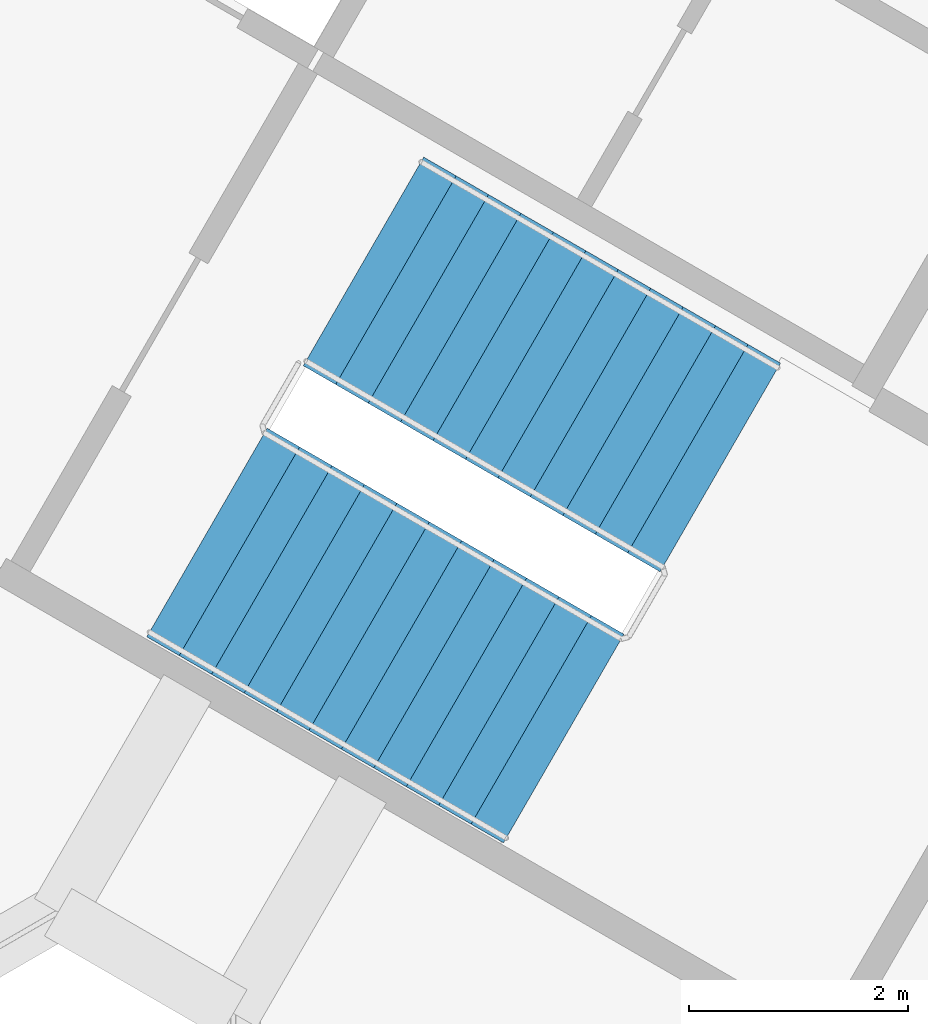
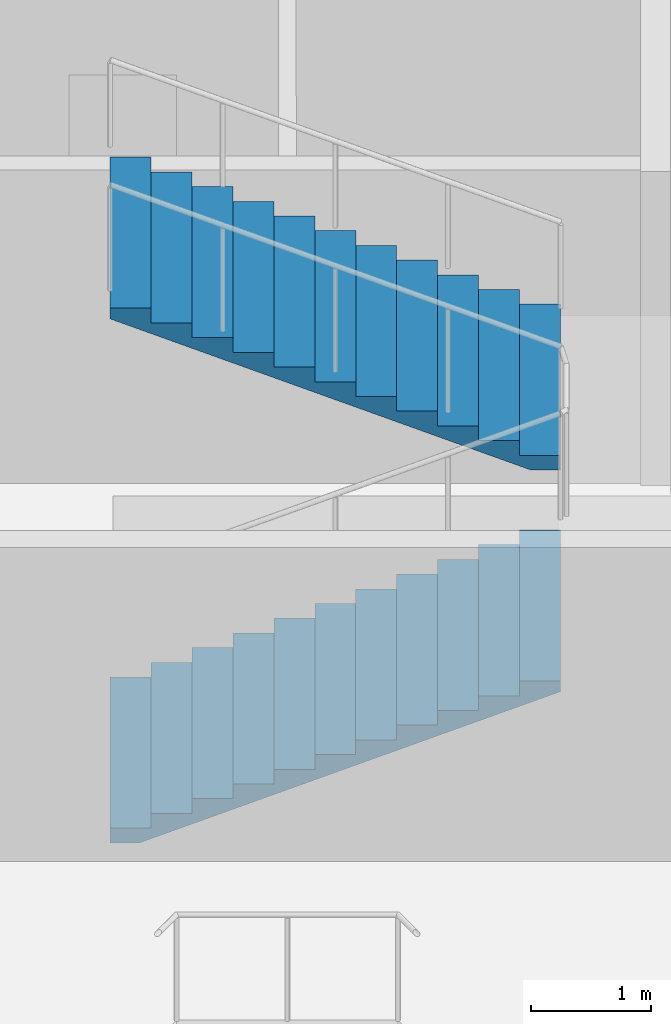
# One storey, part 11 of 12: 2 stair flights, 1 element without a shape of its own.
"""IFC4 building model written with IfcOpenShell, lengths in metres."""

from ifc_helpers import new_model, si_unit, direction, frame, origin, place, context, subcontext, project, spatial, polyline, outline, extrude, material, type_object, element, aggregate, save


model = new_model("IFC4")

# Units and contexts
model_context = context("Model", 3, precision=1e-05, world=origin(), true_north=direction((0.0, 1.0)))
body_context = subcontext(model_context, "Body", "Model", "MODEL_VIEW")
ifc_project = project(units=[si_unit("LENGTHUNIT", "METRE"), si_unit("AREAUNIT", "SQUARE_METRE"), si_unit("VOLUMEUNIT", "CUBIC_METRE"), si_unit("PLANEANGLEUNIT", "RADIAN"), si_unit("MASSUNIT", "GRAM", prefix="KILO")], contexts=[model_context])

# Site, building, storey
site_placement = place(None, origin())
site = spatial("IfcSite", under=ifc_project, at=site_placement, CompositionType="ELEMENT")
building_placement = place(site_placement, origin())
building = spatial("IfcBuilding", under=site, at=building_placement, Name="Tamra Quay Hotel Tower", CompositionType="ELEMENT")
storey_placement = place(building_placement, frame((0.0, 0.0, 71.0)))
storey = spatial("IfcBuildingStorey", under=building, at=storey_placement, Name="L16", CompositionType="ELEMENT", Elevation=71.0)

# Stair, stair flights
ifc_material_1 = material(Name="Exit stair 2200 24 risers 150.0 going 342")
stair_type = type_object("IfcStairType", Name="Exit stair 2200 24 risers 150.0 going 342", PredefinedType="HALF_TURN_STAIR", material=ifc_material_1)
stair_placement = place(storey_placement, origin())
stair = element("IfcStair", 1, at=stair_placement, inside=storey, type_object=stair_type, Name="L16 Exit stair ST1", PredefinedType="HALF_TURN_STAIR")
ifc_material_2 = material(Name="Exit stair flight 2200 12 risers 150.0")
stair_flight_type = type_object("IfcStairFlightType", Name="Exit stair flight 2200 12 risers 150.0", PredefinedType="STRAIGHT", material=ifc_material_2)
stair_flight_1_placement = place(storey_placement, frame((4.75927734375, 11.20361328125, 0.0), z_axis=(0.0, 0.0, 1.0), x_axis=(0.866025403784, -0.5, 0.0)))
stair_flight_1 = element("IfcStairFlight", 2, at=stair_flight_1_placement, type_object=stair_flight_type, Name="ST1 flight 1", NumberOfRisers=12, NumberOfTreads=11, PredefinedType="STRAIGHT", RiserHeight=0.15, TreadLength=0.342, context=body_context, shape_type="SweptSolid", body=[
    extrude(outline(polyline([(0.0, 0.0), (0.0, 0.14990234375), (0.342041015625, 0.14990234375), (0.342041015625, 0.300048828125), (0.68408203125, 0.300048828125), (0.68408203125, 0.449951171875), (1.02587890625, 0.449951171875), (1.02587890625, 0.60009765625), (1.367919921875, 0.60009765625), (1.367919921875, 0.75), (1.7099609375, 0.75), (1.7099609375, 0.89990234375), (2.052001953125, 0.89990234375), (2.052001953125, 1.050048828125), (2.39404296875, 1.050048828125), (2.39404296875, 1.199951171875), (2.736083984375, 1.199951171875), (2.736083984375, 1.35009765625), (3.077880859375, 1.35009765625), (3.077880859375, 1.5), (3.419921875, 1.5), (3.419921875, 1.64990234375), (3.761962890625, 1.64990234375), (3.761962890625, 1.800048828125), (3.761962890625, 1.540771484375), (0.249267578125, 0.0), (0.0, 0.0)])), frame((0.0, 1.10009765625, 0.0), z_axis=(0.0, -1.0, 0.0), x_axis=(1.0, 0.0, 0.0)), (0.0, 0.0, 1.0), 2.199951171875),
])
stair_flight_2_placement = place(storey_placement, frame((9.44677734375, 11.798583984375, 1.800048828125), z_axis=(0.0, 0.0, 1.0), x_axis=(-0.866025403784, 0.5, 0.0)))
stair_flight_2 = element("IfcStairFlight", 3, at=stair_flight_2_placement, type_object=stair_flight_type, Name="ST1 flight 2", NumberOfRisers=12, NumberOfTreads=11, PredefinedType="STRAIGHT", RiserHeight=0.15, TreadLength=0.342, context=body_context, shape_type="SweptSolid", body=[
    extrude(outline(polyline([(0.0, 0.0), (0.0, 0.14990234375), (0.342041015625, 0.14990234375), (0.342041015625, 0.300048828125), (0.68408203125, 0.300048828125), (0.68408203125, 0.449951171875), (1.02587890625, 0.449951171875), (1.02587890625, 0.60009765625), (1.367919921875, 0.60009765625), (1.367919921875, 0.75), (1.7099609375, 0.75), (1.7099609375, 0.89990234375), (2.052001953125, 0.89990234375), (2.052001953125, 1.050048828125), (2.39404296875, 1.050048828125), (2.39404296875, 1.199951171875), (2.736083984375, 1.199951171875), (2.736083984375, 1.35009765625), (3.077880859375, 1.35009765625), (3.077880859375, 1.5), (3.419921875, 1.5), (3.419921875, 1.64990234375), (3.761962890625, 1.64990234375), (3.761962890625, 1.800048828125), (3.761962890625, 1.540771484375), (0.249267578125, 0.0), (0.0, 0.0)])), frame((0.0, 1.10009765625, 0.0), z_axis=(0.0, -1.0, 0.0), x_axis=(1.0, 0.0, 0.0)), (0.0, 0.0, 1.0), 2.199951171875),
])
aggregate(stair, [stair_flight_1, stair_flight_2])

save(model, "model.ifc")
